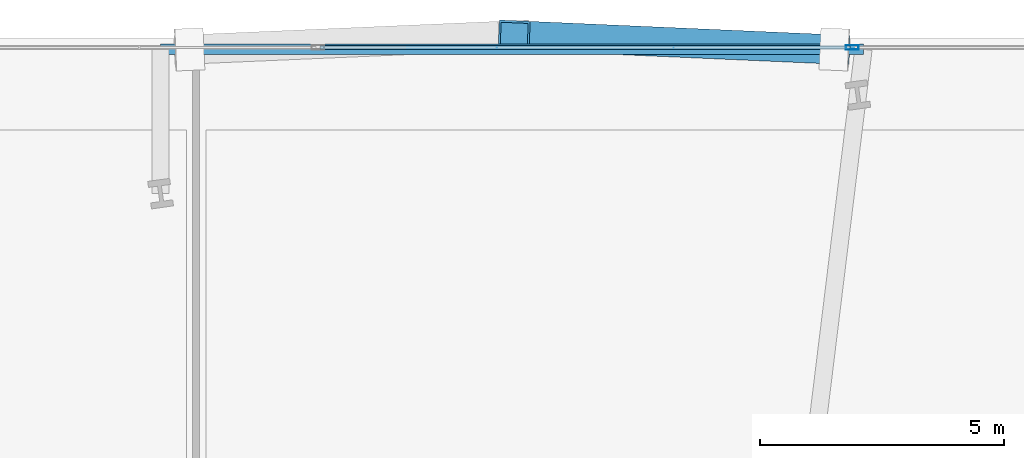
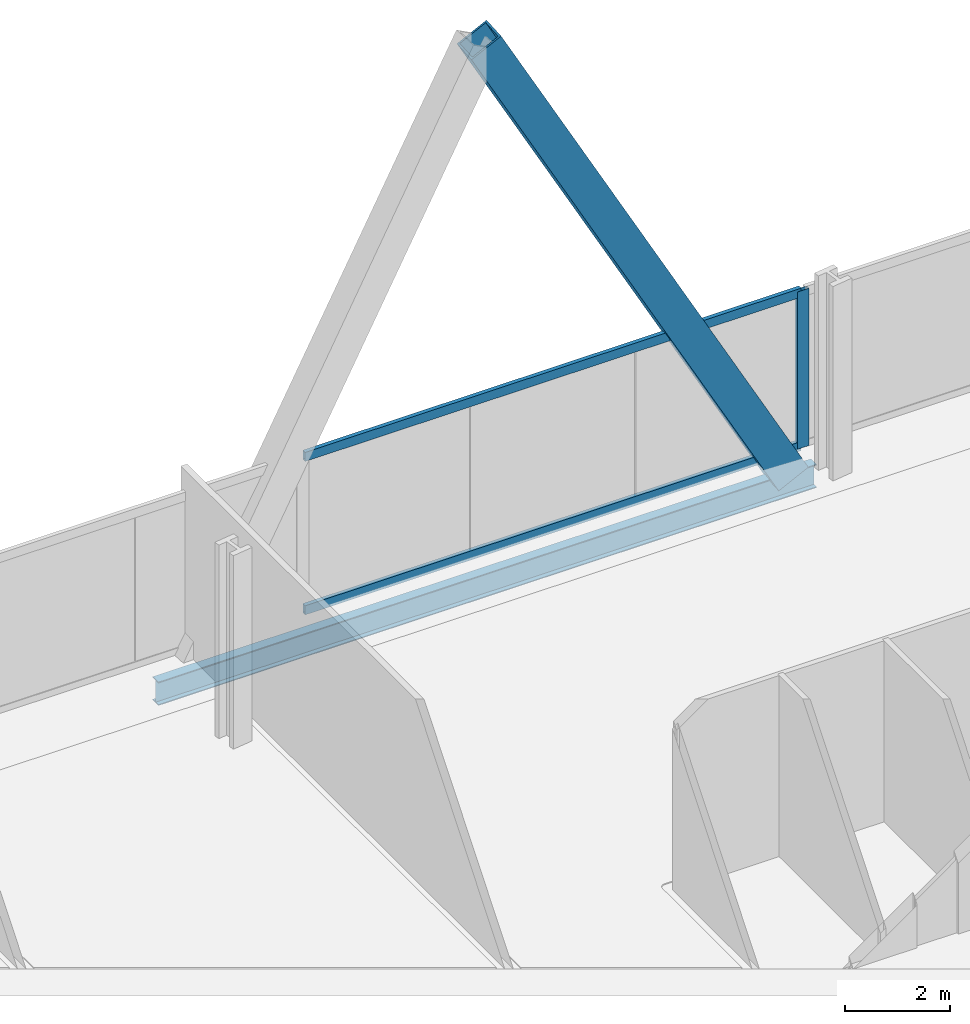
# One storey, part 17 of 29: 4 members, 1 beam, 1 element without a shape of its own.
"""IFC4 building model written with IfcOpenShell, lengths in metres."""

from ifc_helpers import new_model, si_unit, direction, frame, origin, origin_2d, place, context, subcontext, project, spatial, hollow_rectangle, i_section, extrude, material, material_profile, profile_set, type_object, element, aggregate, save


model = new_model("IFC4")

# Units and contexts
model_context = context("Model", 3, precision=1e-05, world=origin(), true_north=direction((0.0, 1.0)))
body_context = subcontext(model_context, "Body", "Model", "MODEL_VIEW")
ifc_project = project(units=[si_unit("LENGTHUNIT", "METRE"), si_unit("AREAUNIT", "SQUARE_METRE"), si_unit("VOLUMEUNIT", "CUBIC_METRE"), si_unit("PLANEANGLEUNIT", "RADIAN"), si_unit("MASSUNIT", "GRAM", prefix="KILO")], contexts=[model_context])

# Site, building, storey
site_placement = place(None, origin())
site = spatial("IfcSite", under=ifc_project, at=site_placement, CompositionType="ELEMENT")
building_placement = place(site_placement, origin())
building = spatial("IfcBuilding", under=site, at=building_placement, Name="Haldenkirk Collegiate Tower", CompositionType="ELEMENT")
storey_placement = place(building_placement, frame((0.0, 0.0, 28.199951171875)))
storey = spatial("IfcBuildingStorey", under=building, at=storey_placement, Name="L05", CompositionType="ELEMENT", Elevation=28.199951171875)

# Beam
ifc_material_1 = material(Name="Steel ASTM A992 Grade 50", Category="steel")
ifc_material_profile_1 = material_profile(ifc_material_1, i_section(OverallWidth=0.2119140625, OverallDepth=0.5439453125, WebThickness=0.01318359375, FlangeThickness=0.021240234375, at=origin_2d()), Name="W21X83")
ifc_profile_set_1 = profile_set([ifc_material_profile_1], Name="Steel ASTM A992 Grade 50")
beam_type = type_object("IfcBeamType", Name="BM-SPANDREL-W21X83", PredefinedType="SPANDREL", material=ifc_profile_set_1)
beam_placement = place(storey_placement, frame((47.1806640625, 51.780029296875, -0.681884765625), z_axis=(-1.0, 0.0, 0.0), x_axis=(0.0, -1.0, 0.0)))
element("IfcBeam", 1, at=beam_placement, inside=storey, type_object=beam_type, Name="L05 outer facade edge beam 3", PredefinedType="SPANDREL", context=body_context, shape_type="SweptSolid", body=[
    extrude(i_section(OverallWidth=0.2119140625, OverallDepth=0.5439453125, WebThickness=0.01318359375, FlangeThickness=0.021240234375, at=origin_2d()), origin(), (0.0, 0.0, 1.0), 14.408447265625),
])

# Curtain wall, members
ifc_material_2 = material(Name="Anodised architectural bronze aluminium", Category="aluminium")
curtain_wall_type = type_object("IfcCurtainWallType", Name="CW-SYS4-SKYGARDEN", PredefinedType="USERDEFINED", material=ifc_material_2)
curtain_wall_placement = place(storey_placement, origin())
curtain_wall = element("IfcCurtainWall", 2, at=curtain_wall_placement, inside=storey, type_object=curtain_wall_type, Name="L05 Sky-garden tall bronze curtain wall", ObjectType="UNITISED CURTAIN WALL", PredefinedType="USERDEFINED")
ifc_material_profile_2 = material_profile(ifc_material_2, hollow_rectangle(XDim=0.090087890625, YDim=0.260009765625, WallThickness=0.0048828125, at=origin_2d()), Name="CW-MUL-04")
ifc_profile_set_2 = profile_set([ifc_material_profile_2], Name="Anodised architectural bronze aluminium")
member_type_1 = type_object("IfcMemberType", Name="CW-MUL-04", PredefinedType="MULLION", material=ifc_profile_set_2)
member_1_placement = place(storey_placement, frame((46.949951171875, 51.820068359375, 0.0), z_axis=(0.0, 0.0, 1.0), x_axis=(0.0, 1.0, 0.0)))
member_1 = element("IfcMember", 3, at=member_1_placement, type_object=member_type_1, Name="CW-04 mullion 4", PredefinedType="MULLION", context=body_context, shape_type="SweptSolid", body=[
    extrude(hollow_rectangle(XDim=0.090087890625, YDim=0.260009765625, WallThickness=0.0048828125, at=origin_2d()), origin(), (0.0, 0.0, 1.0), 3.64111328125),
])
ifc_material_profile_3 = material_profile(ifc_material_2, hollow_rectangle(XDim=0.090087890625, YDim=0.2099609375, WallThickness=0.0048828125, at=origin_2d()), Name="CW-TRN-04")
ifc_profile_set_3 = profile_set([ifc_material_profile_3], Name="Anodised architectural bronze aluminium")
member_type_2 = type_object("IfcMemberType", Name="CW-TRN-04", PredefinedType="USERDEFINED", material=ifc_profile_set_3)
member_2_placement = place(storey_placement, frame((36.044921875, 51.820068359375, 0.045166015625), z_axis=(1.0, 0.0, 0.0), x_axis=(0.0, 1.0, 0.0)))
member_2 = element("IfcMember", 4, at=member_2_placement, type_object=member_type_2, Name="CW-04 transom 3.1", ObjectType="TRANSOM", PredefinedType="USERDEFINED", context=body_context, shape_type="SweptSolid", body=[
    extrude(hollow_rectangle(XDim=0.090087890625, YDim=0.2099609375, WallThickness=0.0048828125, at=origin_2d()), origin(), (0.0, 0.0, 1.0), 10.860107421875),
])
member_3_placement = place(storey_placement, frame((36.044921875, 51.820068359375, 3.595947265625), z_axis=(1.0, 0.0, 0.0), x_axis=(0.0, 1.0, 0.0)))
member_3 = element("IfcMember", 5, at=member_3_placement, type_object=member_type_2, Name="CW-04 transom 3.2", ObjectType="TRANSOM", PredefinedType="USERDEFINED", context=body_context, shape_type="SweptSolid", body=[
    extrude(hollow_rectangle(XDim=0.090087890625, YDim=0.2099609375, WallThickness=0.0048828125, at=origin_2d()), origin(), (0.0, 0.0, 1.0), 10.860107421875),
])
aggregate(curtain_wall, [member_1, member_2, member_3])

# Member
ifc_material_3 = material(Name="Steel ASTM A572 Grade 50", Category="steel")
ifc_material_profile_4 = material_profile(ifc_material_3, hollow_rectangle(XDim=0.60009765625, YDim=0.719970703125, WallThickness=0.044921875, at=origin_2d()), Name="BOX720X600X45")
ifc_profile_set_4 = profile_set([ifc_material_profile_4], Name="Steel ASTM A572 Grade 50")
member_type_3 = type_object("IfcMemberType", Name="MBR-MEGABRACE-BOX720X600X45", PredefinedType="BRACE", material=ifc_profile_set_4)
member_4_placement = place(storey_placement, frame((46.58056640625, 51.780029296875, -0.419921875), z_axis=(-0.476486047489, 0.020997449763, 0.878931256499), x_axis=(-0.044024566448, -0.99903044876, 0.0)))
element("IfcMember", 6, at=member_4_placement, inside=storey, type_object=member_type_3, Name="Perimeter Mega Brace Z1 L05-L07 NL", PredefinedType="BRACE", context=body_context, shape_type="SweptSolid", body=[
    extrude(hollow_rectangle(XDim=0.60009765625, YDim=0.719970703125, WallThickness=0.044921875, at=origin_2d()), origin(), (0.0, 0.0, 1.0), 13.7666015625),
])

save(model, "model.ifc")
